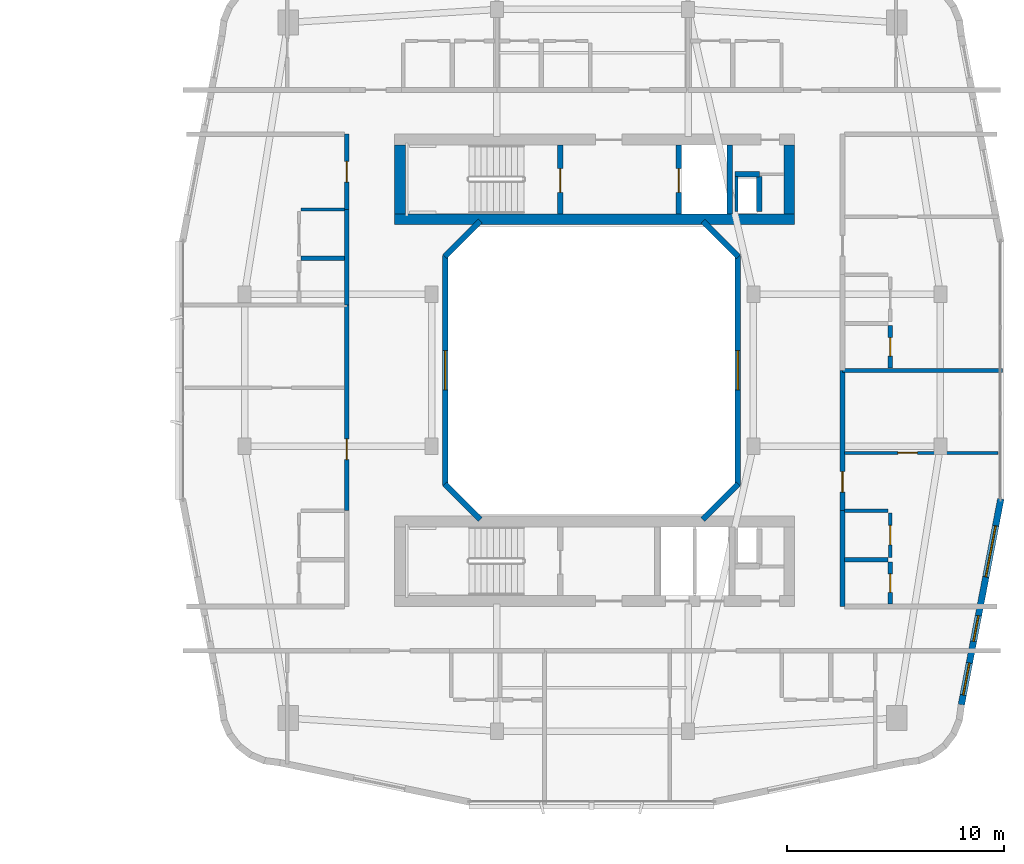
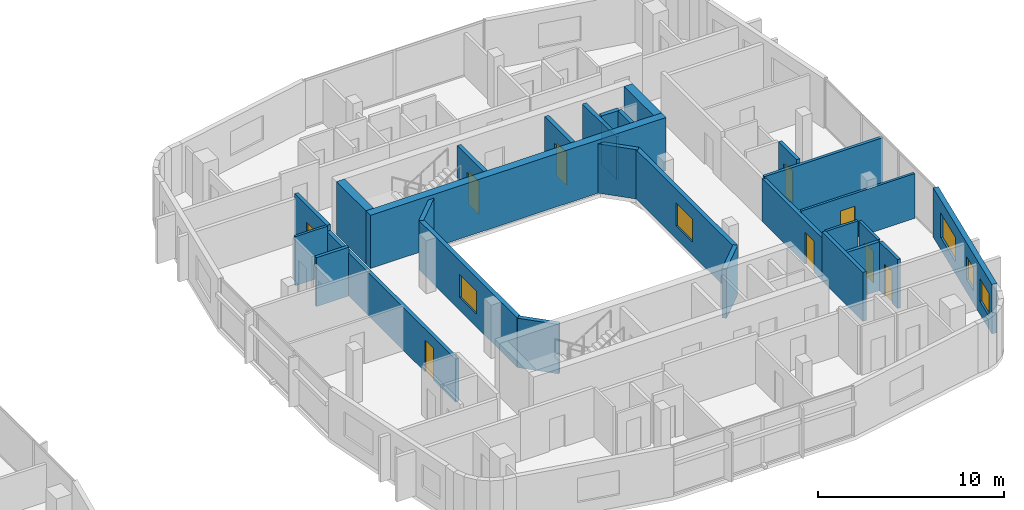
# One storey, part 19 of 27: 30 walls, 9 doors, 5 windows, 14 openings.
"""IFC4 building model written with IfcOpenShell, lengths in metres."""

import ifcopenshell
import ifcopenshell.guid

model = None  # the IFC model being written
_history = None  # IfcOwnerHistory: only IFC2X3 demands one
_inside = {}  # id of a spatial element -> (the spatial element, [elements in it])
_under = {}  # id of a project, library or spatial element -> (it, [spatial elements below it])
_declared = {}  # id of a project -> (the project, [libraries it declares])
_typed = {}  # id of a type object -> (the type object, [elements of that type])
_made_of = {}  # id of a material, layer set ... -> (it, [elements and type objects made of it])


def new_model(schema):
    """Start an empty IFC model of exactly this schema.

    Asked for "IFC4X3", IfcOpenShell would pick the latest addendum, in which some entities
    have other attributes; the version numbers below select the first issue.
    IFC2X3 requires an IfcOwnerHistory on every rooted entity: one is made here for all.
    """
    global model, _history
    if schema == "IFC4X3":
        model = ifcopenshell.file(schema_version=(4, 3, 0, 0))
    else:
        model = ifcopenshell.file(schema=schema)
    _inside.clear()
    _under.clear()
    _declared.clear()
    _typed.clear()
    _made_of.clear()
    _history = None
    if model.schema == "IFC2X3":
        org = make("IfcOrganization", Name="unknown")
        user = make(
            "IfcPersonAndOrganization",
            ThePerson=make("IfcPerson", FamilyName="unknown"),
            TheOrganization=org,
        )
        app = make(
            "IfcApplication",
            ApplicationDeveloper=org,
            Version="unknown",
            ApplicationFullName="unknown",
            ApplicationIdentifier="unknown",
        )
        _history = make(
            "IfcOwnerHistory",
            OwningUser=user,
            OwningApplication=app,
            ChangeAction="ADDED",
            CreationDate=0,
        )
    return model


def make(cls, **values):
    """One entity of the class cls with the attributes given. An attribute that is None is left unset."""
    return model.create_entity(
        cls, **{name: value for name, value in values.items() if value is not None}
    )


def rooted(cls, **values):
    """An entity with a GlobalId (a new one), such as an element, a storey or a relation."""
    return make(cls, GlobalId=ifcopenshell.guid.new(), OwnerHistory=_history, **values)


def si_unit(unit_type, name, prefix=None):
    """IfcSIUnit, for example si_unit("LENGTHUNIT", "METRE", prefix="MILLI")."""
    return make("IfcSIUnit", UnitType=unit_type, Prefix=prefix, Name=name)


def derived_unit(unit_type, elements):
    """IfcDerivedUnit: a product of units, each with its exponent."""
    return make(
        "IfcDerivedUnit",
        Elements=[
            make("IfcDerivedUnitElement", Unit=unit, Exponent=power)
            for unit, power in elements
        ],
        UnitType=unit_type,
    )


def assignment(units):
    """IfcUnitAssignment: the units of a project."""
    return None if units is None else make("IfcUnitAssignment", Units=units)


def point(xyz):
    """IfcCartesianPoint."""
    return None if xyz is None else make("IfcCartesianPoint", Coordinates=xyz)


def direction(xyz):
    """IfcDirection."""
    return None if xyz is None else make("IfcDirection", DirectionRatios=xyz)


def frame(location, z_axis=None, x_axis=None):
    """IfcAxis2Placement3D, a coordinate frame: its origin and axes. An axis left out is left unset."""
    return make(
        "IfcAxis2Placement3D",
        Location=point(location),
        Axis=direction(z_axis),
        RefDirection=direction(x_axis),
    )


def frame_2d(location, x_axis=None):
    """IfcAxis2Placement2D, a coordinate frame in the plane: its origin and x axis."""
    return make(
        "IfcAxis2Placement2D", Location=point(location), RefDirection=direction(x_axis)
    )


def origin():
    """The frame at (0, 0, 0) with its axes left unset."""
    return frame((0.0, 0.0, 0.0))


def place(relative_to, where):
    """IfcLocalPlacement: puts the frame where relative to a parent placement (None: the world)."""
    return make(
        "IfcLocalPlacement", PlacementRelTo=relative_to, RelativePlacement=where
    )


def context(
    kind, dimensions, precision=None, world=None, true_north=None, identifier=None
):
    """IfcGeometricRepresentationContext, for example the 3D "Model" context."""
    return make(
        "IfcGeometricRepresentationContext",
        ContextIdentifier=identifier,
        ContextType=kind,
        CoordinateSpaceDimension=dimensions,
        Precision=precision,
        WorldCoordinateSystem=world,
        TrueNorth=true_north,
    )


def subcontext(parent, identifier, kind, view, scale=None):
    """IfcGeometricRepresentationSubContext, for example "Body" below "Model"."""
    return make(
        "IfcGeometricRepresentationSubContext",
        ContextIdentifier=identifier,
        ContextType=kind,
        ParentContext=parent,
        TargetScale=scale,
        TargetView=view,
    )


def project(units=None, contexts=None):
    """IfcProject with its units and contexts."""
    return rooted(
        "IfcProject",
        Name="project",
        RepresentationContexts=contexts,
        UnitsInContext=assignment(units),
    )


def spatial(cls, under=None, at=None, **own):
    """A site, building, storey or space (cls), placed at a placement, below another one or the project."""
    s = rooted(cls, ObjectPlacement=at, **own)
    if under is not None:
        _under.setdefault(under.id(), (under, []))[1].append(s)
    return s


def profile(cls, at=None, kind="AREA", **sizes):
    """A parametric profile (cls). Its sizes go by their IFC names, for example OverallWidth=200.0."""
    return make(cls, ProfileType=kind, Position=at, **sizes)


def rectangle(**sizes):
    """IfcRectangleProfileDef."""
    return profile("IfcRectangleProfileDef", **sizes)


def extrude(swept, where, along, depth):
    """IfcExtrudedAreaSolid: the profile swept, set in the frame where, extruded along a direction by depth."""
    return make(
        "IfcExtrudedAreaSolid",
        SweptArea=swept,
        Position=where,
        ExtrudedDirection=direction(along),
        Depth=depth,
    )


def shape(context_of_items, identifier, shape_type, items):
    """IfcShapeRepresentation: the items that make up one representation, for example the "Body"."""
    return make(
        "IfcShapeRepresentation",
        ContextOfItems=context_of_items,
        RepresentationIdentifier=identifier,
        RepresentationType=shape_type,
        Items=items,
    )


def material(Name=None, Category=None):
    """IfcMaterial."""
    return make("IfcMaterial", Name=Name, Category=Category)


def layer(
    of_material, thickness, ventilated=None, Name=None, Category=None, Priority=None
):
    """IfcMaterialLayer: one layer of a wall or slab, of a material (None: an air gap)."""
    return make(
        "IfcMaterialLayer",
        Material=of_material,
        LayerThickness=thickness,
        IsVentilated=ventilated,
        Name=Name,
        Category=Category,
        Priority=Priority,
    )


def layer_set(layers, Name=None):
    """IfcMaterialLayerSet."""
    return make("IfcMaterialLayerSet", MaterialLayers=layers, LayerSetName=Name)


def made_of(thing, what):
    """Note that an element or type object is made of a material, layer set ...; save() writes the relation."""
    if what is not None:
        _made_of.setdefault(what.id(), (what, []))[1].append(thing)
    return thing


def type_object(cls, material=None, **own):
    """A type object (cls), such as IfcWallType, which elements share."""
    return made_of(rooted(cls, **own), material)


def element(
    cls,
    number,
    at=None,
    inside=None,
    cuts=None,
    type_object=None,
    material=None,
    context=None,
    identifier="Body",
    shape_type=None,
    held_by="IfcProductDefinitionShape",
    body=None,
    shapes=None,
    **own,
):
    """One element of the class cls, such as IfcWall. Its Tag is "e" and its number.

    at: its placement. inside: the storey or other place that contains it. cuts: it is an
    opening in that element (IfcRelVoidsElement). A single representation is given by context,
    identifier, shape_type and body (its items); several are given by shapes. held_by: the class
    of the entity that holds the representations. save() writes the other relations.
    """
    e = rooted(cls, Tag="e%d" % number, ObjectPlacement=at, **own)
    if body is not None:
        shapes = [shape(context, identifier, shape_type, body)]
    if shapes is not None:
        e.Representation = make(held_by, Representations=shapes)
    if inside is not None:
        _inside.setdefault(inside.id(), (inside, []))[1].append(e)
    if cuts is not None:
        rooted(
            "IfcRelVoidsElement", RelatingBuildingElement=cuts, RelatedOpeningElement=e
        )
    if type_object is not None:
        _typed.setdefault(type_object.id(), (type_object, []))[1].append(e)
    return made_of(e, material)


def fill(opening, filler):
    """IfcRelFillsElement: the door or window that sits in an opening."""
    return rooted(
        "IfcRelFillsElement",
        RelatingOpeningElement=opening,
        RelatedBuildingElement=filler,
    )


def aggregate(whole, parts):
    """IfcRelAggregates: a whole, such as a stair, and the parts it consists of."""
    return rooted("IfcRelAggregates", RelatingObject=whole, RelatedObjects=parts)


def save(model, path):
    """Write the relations noted so far, then the file.

    IfcRelAggregates (storeys below a building ...), IfcRelContainedInSpatialStructure (elements
    in a storey), IfcRelDefinesByType, IfcRelAssociatesMaterial and IfcRelDeclares: one each for
    every whole, place, type object, material and project.
    """
    for whole, parts in _under.values():
        aggregate(whole, parts)
    for where, things in _inside.values():
        rooted(
            "IfcRelContainedInSpatialStructure",
            RelatedElements=things,
            RelatingStructure=where,
        )
    for kind, things in _typed.values():
        rooted("IfcRelDefinesByType", RelatedObjects=things, RelatingType=kind)
    for what, things in _made_of.values():
        rooted("IfcRelAssociatesMaterial", RelatedObjects=things, RelatingMaterial=what)
    for by, libraries in _declared.values():
        rooted("IfcRelDeclares", RelatingContext=by, RelatedDefinitions=libraries)
    model.write(path)


model = new_model("IFC4")

# Units and contexts
model_context = context("Model", 3, precision=1e-05, world=origin(), true_north=direction((0.0, 1.0)))
body_context = subcontext(model_context, "Body", "Model", "MODEL_VIEW")
ifc_project = project(units=[si_unit("LENGTHUNIT", "METRE"), si_unit("AREAUNIT", "SQUARE_METRE"), si_unit("VOLUMEUNIT", "CUBIC_METRE"), si_unit("PLANEANGLEUNIT", "RADIAN"), si_unit("MASSUNIT", "GRAM", prefix="KILO"), derived_unit("THERMALTRANSMITTANCEUNIT", [(si_unit("POWERUNIT", "WATT"), 1), (si_unit("LENGTHUNIT", "METRE"), -2), (si_unit("THERMODYNAMICTEMPERATUREUNIT", "KELVIN"), -1)])], contexts=[model_context])

# Site, building, storey
site_placement = place(None, origin())
site = spatial("IfcSite", under=ifc_project, at=site_placement, CompositionType="ELEMENT")
building_placement = place(site_placement, origin())
building = spatial("IfcBuilding", under=site, at=building_placement, Name="Kivonza Crest Hotel", CompositionType="ELEMENT")
storey_placement = place(building_placement, frame((0.0, 0.0, 76.5)))
storey = spatial("IfcBuildingStorey", under=building, at=storey_placement, Name="L20", CompositionType="ELEMENT", Elevation=76.5)

# Wall
ifc_material_1 = material(Name="High-density acoustic masonry inter-tenancy wall", Category="masonry")
ifc_layer_1 = layer(ifc_material_1, 0.179931640625)
ifc_layer_set_1 = layer_set([ifc_layer_1], Name="High-density acoustic masonry inter-tenancy wall")
wall_type_1 = type_object("IfcWallType", Name="WL-ACOU-180", PredefinedType="SOLIDWALL", material=ifc_layer_set_1)
wall_1_placement = place(storey_placement, frame((88.5, 25.0, 0.0), z_axis=(0.0, 0.0, 1.0), x_axis=(1.0, 0.0, 0.0)))
element("IfcWall", 1, at=wall_1_placement, inside=storey, type_object=wall_type_1, Name="L20 interior partition WA-L20-T2E-DIV1", PredefinedType="SOLIDWALL", context=body_context, shape_type="SweptSolid", body=[
    extrude(rectangle(XDim=7.360107421875, YDim=0.179931640625, at=frame_2d((3.68017578125, 0.0))), origin(), (0.0, 0.0, 1.0), 2.945068359375),
])

# Wall, opening, door
ifc_material_2 = material(Name="Autoclaved aerated concrete blockwork", Category="masonry")
ifc_layer_2 = layer(ifc_material_2, 0.219970703125)
ifc_layer_set_2 = layer_set([ifc_layer_2], Name="Autoclaved aerated concrete blockwork")
wall_type_2 = type_object("IfcWallType", Name="WL-ACOU-220", PredefinedType="SOLIDWALL", material=ifc_layer_set_2)
wall_2_placement = place(storey_placement, frame((65.699951171875, 18.5400390625, 0.0), z_axis=(0.0, 0.0, 1.0), x_axis=(0.0, 1.0, 0.0)))
wall_2 = element("IfcWall", 2, at=wall_2_placement, inside=storey, type_object=wall_type_2, Name="L20 interior partition WA-L20-A06-MCORR", PredefinedType="SOLIDWALL", context=body_context, shape_type="SweptSolid", body=[
    extrude(rectangle(XDim=9.4599609375, YDim=0.219970703125, at=frame_2d((4.72998046875, 0.0))), origin(), (0.0, 0.0, 1.0), 2.824951171875),
])
opening_1_placement = place(wall_2_placement, frame((2.35498046875, 0.0, 0.0)))
opening_1 = element("IfcOpeningElement", 3, at=opening_1_placement, cuts=wall_2, Name="Opening DU-60", PredefinedType="OPENING", context=body_context, shape_type="SweptSolid", body=[
    extrude(rectangle(XDim=0.949951171875, YDim=2.10009765625, at=frame_2d((0.47509765625, 1.050048828125))), frame((0.0, 0.1201171875, 0.0), z_axis=(0.0, -1.0, 0.0), x_axis=(1.0, 0.0, 0.0)), (0.0, 0.0, 1.0), 0.239990234375),
])
ifc_material_3 = material(Name="Hardwood timber oak", Category="wood")
door_type_1 = type_object("IfcDoorType", Name="DR-UNIT-950", OperationType="NOTDEFINED", PredefinedType="DOOR", material=ifc_material_3)
door_1_placement = place(opening_1_placement, origin())
door_1 = element("IfcDoor", 4, at=door_1_placement, inside=storey, type_object=door_type_1, Name="L20 A06 apartment entrance fire door", OperationType="SINGLE_SWING_RIGHT", OverallHeight=2.10009765625, OverallWidth=0.949951171875, PredefinedType="DOOR", context=body_context, shape_type="SweptSolid", body=[
    extrude(rectangle(XDim=0.949951171875, YDim=2.10009765625, at=frame_2d((0.47509765625, 1.050048828125))), frame((0.0, 0.02490234375, 0.0), z_axis=(0.0, -1.0, 0.0), x_axis=(1.0, 0.0, 0.0)), (0.0, 0.0, 1.0), 0.050048828125),
])
fill(opening_1, door_1)

# Wall
wall_3_placement = place(storey_placement, frame((65.699951171875, 28.0, 0.0), z_axis=(0.0, 0.0, 1.0), x_axis=(0.0, 1.0, 0.0)))
element("IfcWall", 5, at=wall_3_placement, inside=storey, type_object=wall_type_2, Name="L20 interior partition WA-L20-A07-BCORR", PredefinedType="SOLIDWALL", context=body_context, shape_type="SweptSolid", body=[
    extrude(rectangle(XDim=4.39990234375, YDim=0.219970703125, at=frame_2d((2.199951171875, 0.0))), origin(), (0.0, 0.0, 1.0), 2.824951171875),
])

# Wall, opening, door
wall_4_placement = place(storey_placement, frame((65.699951171875, 32.39990234375, 0.0), z_axis=(0.0, 0.0, 1.0), x_axis=(0.0, 1.0, 0.0)))
wall_4 = element("IfcWall", 6, at=wall_4_placement, inside=storey, type_object=wall_type_2, Name="L20 interior partition WA-L20-A07-MCORR", PredefinedType="SOLIDWALL", context=body_context, shape_type="SweptSolid", body=[
    extrude(rectangle(XDim=3.460205078125, YDim=0.219970703125, at=frame_2d((1.72998046875, 0.0))), origin(), (0.0, 0.0, 1.0), 3.219970703125),
])
opening_2_placement = place(wall_4_placement, frame((1.2548828125, 0.0, 0.0)))
opening_2 = element("IfcOpeningElement", 7, at=opening_2_placement, cuts=wall_4, Name="Opening DU-60", PredefinedType="OPENING", context=body_context, shape_type="SweptSolid", body=[
    extrude(rectangle(XDim=0.949951171875, YDim=2.10009765625, at=frame_2d((0.47509765625, 1.050048828125))), frame((0.0, 0.1201171875, 0.0), z_axis=(0.0, -1.0, 0.0), x_axis=(1.0, 0.0, 0.0)), (0.0, 0.0, 1.0), 0.239990234375),
])
door_2_placement = place(opening_2_placement, origin())
door_2 = element("IfcDoor", 8, at=door_2_placement, inside=storey, type_object=door_type_1, Name="L20 A07 apartment entrance fire door", OperationType="SINGLE_SWING_LEFT", OverallHeight=2.10009765625, OverallWidth=0.949951171875, PredefinedType="DOOR", context=body_context, shape_type="SweptSolid", body=[
    extrude(rectangle(XDim=0.949951171875, YDim=2.10009765625, at=frame_2d((0.47509765625, 1.050048828125))), frame((0.0, 0.02490234375, 0.0), z_axis=(0.0, -1.0, 0.0), x_axis=(1.0, 0.0, 0.0)), (0.0, 0.0, 1.0), 0.050048828125),
])
fill(opening_2, door_2)

# Wall
wall_5_placement = place(storey_placement, frame((88.5, 14.139892578125, 0.0), z_axis=(0.0, 0.0, 1.0), x_axis=(0.0, 1.0, 0.0)))
element("IfcWall", 9, at=wall_5_placement, inside=storey, type_object=wall_type_2, Name="L20 interior partition WA-L20-A08-BCORR", PredefinedType="SOLIDWALL", context=body_context, shape_type="SweptSolid", body=[
    extrude(rectangle(XDim=4.400146484375, YDim=0.219970703125, at=frame_2d((2.2001953125, 0.0))), origin(), (0.0, 0.0, 1.0), 3.219970703125),
])

# Wall, opening, door
wall_6_placement = place(storey_placement, frame((88.5, 18.5400390625, 0.0), z_axis=(0.0, 0.0, 1.0), x_axis=(0.0, 1.0, 0.0)))
wall_6 = element("IfcWall", 10, at=wall_6_placement, inside=storey, type_object=wall_type_2, Name="L20 interior partition WA-L20-A08-MCORR", PredefinedType="SOLIDWALL", context=body_context, shape_type="SweptSolid", body=[
    extrude(rectangle(XDim=6.4599609375, YDim=0.219970703125, at=frame_2d((3.22998046875, 0.0))), origin(), (0.0, 0.0, 1.0), 2.824951171875),
])
opening_3_placement = place(wall_6_placement, frame((0.85498046875, 0.0, 0.0)))
opening_3 = element("IfcOpeningElement", 11, at=opening_3_placement, cuts=wall_6, Name="Opening DU-60", PredefinedType="OPENING", context=body_context, shape_type="SweptSolid", body=[
    extrude(rectangle(XDim=0.949951171875, YDim=2.10009765625, at=frame_2d((0.47509765625, 1.050048828125))), frame((0.0, 0.1201171875, 0.0), z_axis=(0.0, -1.0, 0.0), x_axis=(1.0, 0.0, 0.0)), (0.0, 0.0, 1.0), 0.239990234375),
])
door_3_placement = place(opening_3_placement, frame((0.949951171875, 0.0, 0.0), z_axis=(0.0, 0.0, 1.0), x_axis=(-1.0, 0.0, 0.0)))
door_3 = element("IfcDoor", 12, at=door_3_placement, inside=storey, type_object=door_type_1, Name="L20 A08 apartment entrance fire door", OperationType="SINGLE_SWING_RIGHT", OverallHeight=2.10009765625, OverallWidth=0.949951171875, PredefinedType="DOOR", context=body_context, shape_type="SweptSolid", body=[
    extrude(rectangle(XDim=0.949951171875, YDim=2.10009765625, at=frame_2d((0.47509765625, 1.050048828125))), frame((0.0, 0.02490234375, 0.0), z_axis=(0.0, -1.0, 0.0), x_axis=(1.0, 0.0, 0.0)), (0.0, 0.0, 1.0), 0.050048828125),
])
fill(opening_3, door_3)

# Walls
ifc_material_4 = material(Name="Concrete C60/75", Category="concrete")
ifc_layer_3 = layer(ifc_material_4, 0.5)
ifc_layer_set_3 = layer_set([ifc_layer_3], Name="Concrete C60/75")
wall_type_3 = type_object("IfcWallType", Name="WL-CORE-500", PredefinedType="SHEAR", material=ifc_layer_set_3)
wall_7_placement = place(storey_placement, frame((67.89990234375, 31.949951171875, 0.0), z_axis=(0.0, 0.0, 1.0), x_axis=(1.0, 0.0, 0.0)))
element("IfcWall", 13, at=wall_7_placement, inside=storey, type_object=wall_type_3, Name="Core wall T2-N South L20", PredefinedType="SHEAR", context=body_context, shape_type="SweptSolid", body=[
    extrude(rectangle(XDim=18.400146484375, YDim=0.5, at=frame_2d((9.2001953125, 0.0))), origin(), (0.0, 0.0, 1.0), 3.5),
])
for number, where, z_axis, x_axis, name in (
    (14, (68.14990234375, 32.199951171875, 0.0), (0.0, 0.0, 1.0), (0.0, 1.0, 0.0), "Core wall T2-N West L20"),
    (15, (86.050048828125, 32.199951171875, 0.0), (0.0, 0.0, 1.0), (0.0, 1.0, 0.0), "Core wall T2-N East L20"),
):
    element("IfcWall", number, at=place(storey_placement, frame(where, z_axis=z_axis, x_axis=x_axis)), inside=storey, type_object=wall_type_3, Name=name, PredefinedType="SHEAR", context=body_context, shape_type="SweptSolid", body=[
        extrude(rectangle(XDim=3.16015625, YDim=0.5, at=frame_2d((1.580078125, 0.0))), origin(), (0.0, 0.0, 1.0), 3.5),
    ])
ifc_material_5 = material(Name="Precast concrete C40/50", Category="concrete")
ifc_layer_4 = layer(ifc_material_5, 0.260009765625)
ifc_layer_set_4 = layer_set([ifc_layer_4], Name="Precast concrete C40/50")
wall_type_4 = type_object("IfcWallType", Name="WL-EXT-260", PredefinedType="STANDARD", material=ifc_layer_set_4)
wall_8_placement = place(storey_placement, frame((82.08203125, 18.137939453125, 0.0), z_axis=(0.0, 0.0, 1.0), x_axis=(0.707106781187, 0.707106781187, 0.0)))
element("IfcWall", 16, at=wall_8_placement, inside=storey, type_object=wall_type_4, Name="L20 T2 light-well exterior wall 2", PredefinedType="STANDARD", context=body_context, shape_type="SweptSolid", body=[
    extrude(rectangle(XDim=2.310791015625, YDim=0.260009765625, at=frame_2d((1.1552734375, 0.0))), origin(), (0.0, 0.0, 1.0), 3.25),
])

# Wall, opening, window
wall_9_placement = place(storey_placement, frame((83.68994140625, 19.7099609375, 0.0), z_axis=(0.0, 0.0, 1.0), x_axis=(0.0, 1.0, 0.0)))
wall_9 = element("IfcWall", 17, at=wall_9_placement, inside=storey, type_object=wall_type_4, Name="L20 T2 light-well exterior wall 3", PredefinedType="STANDARD", context=body_context, shape_type="SweptSolid", body=[
    extrude(rectangle(XDim=10.580078125, YDim=0.260009765625, at=frame_2d((5.2900390625, 0.0))), origin(), (0.0, 0.0, 1.0), 3.25),
])
opening_4_placement = place(wall_9_placement, frame((4.389892578125, 0.0, 0.85009765625)))
opening_4 = element("IfcOpeningElement", 18, at=opening_4_placement, cuts=wall_9, Name="Opening WN-03", PredefinedType="OPENING", context=body_context, shape_type="SweptSolid", body=[
    extrude(rectangle(XDim=1.800048828125, YDim=1.5, at=frame_2d((0.89990234375, 0.75))), frame((0.0, 0.14013671875, 0.0), z_axis=(0.0, -1.0, 0.0), x_axis=(1.0, 0.0, 0.0)), (0.0, 0.0, 1.0), 0.280029296875),
])
ifc_material_6 = material(Name="Thermally broken bronze aluminium and low-E double glazing", Category="aluminium")
window_type_1 = type_object("IfcWindowType", Name="WN-180x150", PartitioningType="DOUBLE_PANEL_VERTICAL", PredefinedType="WINDOW", material=ifc_material_6)
window_1_placement = place(opening_4_placement, origin())
window_1 = element("IfcWindow", 19, at=window_1_placement, inside=storey, type_object=window_type_1, Name="L20 T2 light-well window 3", OverallHeight=1.5, OverallWidth=1.800048828125, PartitioningType="SINGLE_PANEL", PredefinedType="WINDOW", context=body_context, shape_type="SweptSolid", body=[
    extrude(rectangle(XDim=1.800048828125, YDim=1.5, at=frame_2d((0.89990234375, 0.75))), frame((0.0, 0.030029296875, 0.0), z_axis=(0.0, -1.0, 0.0), x_axis=(1.0, 0.0, 0.0)), (0.0, 0.0, 1.0), 0.06005859375),
])
fill(opening_4, window_1)

# Walls
for number, where, z_axis, x_axis, name in (
    (20, (83.716064453125, 30.22802734375, 0.0), (0.0, 0.0, 1.0), (-0.707106781187, 0.707106781187, 0.0), "L20 T2 light-well exterior wall 4"),
    (21, (71.837890625, 31.862060546875, 0.0), (0.0, 0.0, 1.0), (-0.707053950914, -0.707159607512, 0.0), "L20 T2 light-well exterior wall 6"),
):
    element("IfcWall", number, at=place(storey_placement, frame(where, z_axis=z_axis, x_axis=x_axis)), inside=storey, type_object=wall_type_4, Name=name, PredefinedType="STANDARD", context=body_context, shape_type="SweptSolid", body=[
        extrude(rectangle(XDim=2.310791015625, YDim=0.260009765625, at=frame_2d((1.1552734375, 0.0))), origin(), (0.0, 0.0, 1.0), 3.25),
    ])

# Wall, opening, window
wall_10_placement = place(storey_placement, frame((70.22998046875, 30.2900390625, 0.0), z_axis=(0.0, 0.0, 1.0), x_axis=(0.0, -1.0, 0.0)))
wall_10 = element("IfcWall", 22, at=wall_10_placement, inside=storey, type_object=wall_type_4, Name="L20 T2 light-well exterior wall 7", PredefinedType="STANDARD", context=body_context, shape_type="SweptSolid", body=[
    extrude(rectangle(XDim=10.580078125, YDim=0.260009765625, at=frame_2d((5.2900390625, 0.0))), origin(), (0.0, 0.0, 1.0), 3.25),
])
opening_5_placement = place(wall_10_placement, frame((4.389892578125, 0.0, 0.85009765625)))
opening_5 = element("IfcOpeningElement", 23, at=opening_5_placement, cuts=wall_10, Name="Opening WN-03", PredefinedType="OPENING", context=body_context, shape_type="SweptSolid", body=[
    extrude(rectangle(XDim=1.800048828125, YDim=1.5, at=frame_2d((0.89990234375, 0.75))), frame((0.0, 0.14013671875, 0.0), z_axis=(0.0, -1.0, 0.0), x_axis=(1.0, 0.0, 0.0)), (0.0, 0.0, 1.0), 0.280029296875),
])
window_2_placement = place(opening_5_placement, origin())
window_2 = element("IfcWindow", 24, at=window_2_placement, inside=storey, type_object=window_type_1, Name="L20 T2 light-well window 7", OverallHeight=1.5, OverallWidth=1.800048828125, PartitioningType="SINGLE_PANEL", PredefinedType="WINDOW", context=body_context, shape_type="SweptSolid", body=[
    extrude(rectangle(XDim=1.800048828125, YDim=1.5, at=frame_2d((0.89990234375, 0.75))), frame((0.0, 0.030029296875, 0.0), z_axis=(0.0, -1.0, 0.0), x_axis=(1.0, 0.0, 0.0)), (0.0, 0.0, 1.0), 0.06005859375),
])
fill(opening_5, window_2)

# Wall
wall_11_placement = place(storey_placement, frame((70.2041015625, 19.77197265625, 0.0), z_axis=(0.0, 0.0, 1.0), x_axis=(0.707053950914, -0.707159607512, 0.0)))
element("IfcWall", 25, at=wall_11_placement, inside=storey, type_object=wall_type_4, Name="L20 T2 light-well exterior wall 8", PredefinedType="STANDARD", context=body_context, shape_type="SweptSolid", body=[
    extrude(rectangle(XDim=2.310791015625, YDim=0.260009765625, at=frame_2d((1.1552734375, 0.0))), origin(), (0.0, 0.0, 1.0), 3.25),
])

# Wall, openings, windows
ifc_layer_5 = layer(ifc_material_5, 0.300048828125)
ifc_layer_set_5 = layer_set([ifc_layer_5], Name="Precast concrete C40/50")
wall_type_5 = type_object("IfcWallType", Name="WL-EXT-300", PredefinedType="STANDARD", material=ifc_layer_set_5)
wall_12_placement = place(storey_placement, frame((93.970947265625, 9.6201171875, 0.0), z_axis=(0.0, 0.0, 1.0), x_axis=(0.188087874316, 0.982152203854, 0.0)))
wall_12 = element("IfcWall", 26, at=wall_12_placement, inside=storey, type_object=wall_type_5, Name="L20 T2 exterior insulated wall 16", PredefinedType="STANDARD", context=body_context, shape_type="SweptSolid", body=[
    extrude(rectangle(XDim=9.6337890625, YDim=0.300048828125, at=frame_2d((4.81689453125, 0.0))), origin(), (0.0, 0.0, 1.0), 3.25),
])
opening_6_placement = place(wall_12_placement, frame((0.451904296875, 0.0, 0.85009765625)))
opening_6 = element("IfcOpeningElement", 27, at=opening_6_placement, cuts=wall_12, Name="Opening WN-02", PredefinedType="OPENING", context=body_context, shape_type="SweptSolid", body=[
    extrude(rectangle(XDim=1.5, YDim=1.5, at=frame_2d((0.75, 0.75))), frame((0.0, 0.16015625, 0.0), z_axis=(0.0, -1.0, 0.0), x_axis=(1.0, 0.0, 0.0)), (0.0, 0.0, 1.0), 0.320068359375),
])
opening_7_placement = place(wall_12_placement, frame((2.964111328125, 0.0, 0.85009765625)))
opening_7 = element("IfcOpeningElement", 28, at=opening_7_placement, cuts=wall_12, Name="Opening WN-01", PredefinedType="OPENING", context=body_context, shape_type="SweptSolid", body=[
    extrude(rectangle(XDim=1.199951171875, YDim=1.5, at=frame_2d((0.60009765625, 0.75))), frame((0.0, 0.16015625, 0.0), z_axis=(0.0, -1.0, 0.0), x_axis=(1.0, 0.0, 0.0)), (0.0, 0.0, 1.0), 0.320068359375),
])
opening_8_placement = place(wall_12_placement, frame((5.97900390625, 0.0, 0.800048828125)))
opening_8 = element("IfcOpeningElement", 29, at=opening_8_placement, cuts=wall_12, Name="Opening WN-05", PredefinedType="OPENING", context=body_context, shape_type="SweptSolid", body=[
    extrude(rectangle(XDim=2.39990234375, YDim=1.60009765625, at=frame_2d((1.199951171875, 0.800048828125))), frame((0.0, 0.16015625, 0.0), z_axis=(0.0, -1.0, 0.0), x_axis=(1.0, 0.0, 0.0)), (0.0, 0.0, 1.0), 0.320068359375),
])
window_type_2 = type_object("IfcWindowType", Name="WN-120x150", PartitioningType="SINGLE_PANEL", PredefinedType="WINDOW", material=ifc_material_6)
window_3_placement = place(opening_7_placement, origin())
window_3 = element("IfcWindow", 30, at=window_3_placement, inside=storey, type_object=window_type_2, Name="L20 T2 facade window 16 bay 2", OverallHeight=1.5, OverallWidth=1.199951171875, PartitioningType="SINGLE_PANEL", PredefinedType="WINDOW", context=body_context, shape_type="SweptSolid", body=[
    extrude(rectangle(XDim=1.199951171875, YDim=1.5, at=frame_2d((0.60009765625, 0.75))), frame((0.0, 0.030029296875, 0.0), z_axis=(0.0, -1.0, 0.0), x_axis=(1.0, 0.0, 0.0)), (0.0, 0.0, 1.0), 0.06005859375),
])
fill(opening_7, window_3)
window_type_3 = type_object("IfcWindowType", Name="WN-150x150", PartitioningType="DOUBLE_PANEL_VERTICAL", PredefinedType="WINDOW", material=ifc_material_6)
window_4_placement = place(opening_6_placement, origin())
window_4 = element("IfcWindow", 31, at=window_4_placement, inside=storey, type_object=window_type_3, Name="L20 T2 facade window 16 bay 1", OverallHeight=1.5, OverallWidth=1.5, PartitioningType="SINGLE_PANEL", PredefinedType="WINDOW", context=body_context, shape_type="SweptSolid", body=[
    extrude(rectangle(XDim=1.5, YDim=1.5, at=frame_2d((0.75, 0.75))), frame((0.0, 0.030029296875, 0.0), z_axis=(0.0, -1.0, 0.0), x_axis=(1.0, 0.0, 0.0)), (0.0, 0.0, 1.0), 0.06005859375),
])
fill(opening_6, window_4)
window_type_4 = type_object("IfcWindowType", Name="WN-240x160", PartitioningType="TRIPLE_PANEL_VERTICAL", PredefinedType="WINDOW", material=ifc_material_6)
window_5_placement = place(opening_8_placement, origin())
window_5 = element("IfcWindow", 32, at=window_5_placement, inside=storey, type_object=window_type_4, Name="L20 T2 facade window 16 bay 3", OverallHeight=1.60009765625, OverallWidth=2.39990234375, PartitioningType="SINGLE_PANEL", PredefinedType="WINDOW", context=body_context, shape_type="SweptSolid", body=[
    extrude(rectangle(XDim=2.39990234375, YDim=1.60009765625, at=frame_2d((1.199951171875, 0.800048828125))), frame((0.0, 0.030029296875, 0.0), z_axis=(0.0, -1.0, 0.0), x_axis=(1.0, 0.0, 0.0)), (0.0, 0.0, 1.0), 0.06005859375),
])
fill(opening_8, window_5)

# Walls
ifc_material_7 = material(Name="Concrete blockwork fire-compartment wall", Category="masonry")
ifc_layer_6 = layer(ifc_material_7, 0.25)
ifc_layer_set_6 = layer_set([ifc_layer_6], Name="Concrete blockwork fire-compartment wall")
wall_type_6 = type_object("IfcWallType", Name="WL-FIRE-250", PredefinedType="SOLIDWALL", material=ifc_layer_set_6)
wall_13_placement = place(storey_placement, frame((84.679931640625, 32.300048828125, 0.0), z_axis=(0.0, 0.0, 1.0), x_axis=(0.0, 1.0, 0.0)))
element("IfcWall", 33, at=wall_13_placement, inside=storey, type_object=wall_type_6, Name="L20 interior partition WA-L20-T2-N-MEPR-E", PredefinedType="SOLIDWALL", context=body_context, shape_type="SweptSolid", body=[
    extrude(rectangle(XDim=1.619873046875, YDim=0.25, at=frame_2d((0.81005859375, 0.0))), origin(), (0.0, 0.0, 1.0), 3.219970703125),
])
wall_14_placement = place(storey_placement, frame((83.550048828125, 34.02001953125, 0.0), z_axis=(0.0, 0.0, 1.0), x_axis=(1.0, 0.0, 0.0)))
element("IfcWall", 34, at=wall_14_placement, inside=storey, type_object=wall_type_6, Name="L20 interior partition WA-L20-T2-N-MEPR-H", PredefinedType="SOLIDWALL", context=body_context, shape_type="SweptSolid", body=[
    extrude(rectangle(XDim=1.1298828125, YDim=0.25, at=frame_2d((0.56494140625, 0.0))), origin(), (0.0, 0.0, 1.0), 3.219970703125),
])
ifc_material_8 = material(Name="Twin-stud acoustic gypsum board partition", Category="gypsum")
ifc_layer_7 = layer(ifc_material_8, 0.14990234375)
ifc_layer_set_7 = layer_set([ifc_layer_7], Name="Twin-stud acoustic gypsum board partition")
wall_type_7 = type_object("IfcWallType", Name="WL-PART-150", PredefinedType="PARTITIONING", material=ifc_layer_set_7)
wall_15_placement = place(storey_placement, frame((83.6298828125, 32.300048828125, 0.0), z_axis=(0.0, 0.0, 1.0), x_axis=(0.0, 1.0, 0.0)))
element("IfcWall", 35, at=wall_15_placement, inside=storey, type_object=wall_type_7, Name="L20 interior partition WA-L20-T2-N-MEPR-W", PredefinedType="PARTITIONING", context=body_context, shape_type="SweptSolid", body=[
    extrude(rectangle(XDim=1.619873046875, YDim=0.14990234375, at=frame_2d((0.81005859375, 0.0))), origin(), (0.0, 0.0, 1.0), 2.824951171875),
])
wall_16_placement = place(storey_placement, frame((63.60009765625, 32.39990234375, 0.0), z_axis=(0.0, 0.0, 1.0), x_axis=(1.0, 0.0, 0.0)))
element("IfcWall", 36, at=wall_16_placement, inside=storey, type_object=wall_type_7, Name="L20 interior partition WP-L20-A07-KF", PredefinedType="PARTITIONING", context=body_context, shape_type="SweptSolid", body=[
    extrude(rectangle(XDim=2.0, YDim=0.14990234375, at=frame_2d((1.0, 0.0))), origin(), (0.0, 0.0, 1.0), 3.219970703125),
])

# Wall, opening, door
wall_17_placement = place(storey_placement, frame((88.60009765625, 21.199951171875, 0.0), z_axis=(0.0, 0.0, 1.0), x_axis=(1.0, 0.0, 0.0)))
wall_17 = element("IfcWall", 37, at=wall_17_placement, inside=storey, type_object=wall_type_7, Name="L20 interior partition WP-L20-A08-BD1", PredefinedType="PARTITIONING", context=body_context, shape_type="SweptSolid", body=[
    extrude(rectangle(XDim=7.059814453125, YDim=0.14990234375, at=frame_2d((3.52978515625, 0.0))), origin(), (0.0, 0.0, 1.0), 2.945068359375),
])
opening_9_placement = place(wall_17_placement, frame((2.449951171875, 0.0, 0.0)))
opening_9 = element("IfcOpeningElement", 38, at=opening_9_placement, cuts=wall_17, Name="Opening DI-90", PredefinedType="OPENING", context=body_context, shape_type="SweptSolid", body=[
    extrude(rectangle(XDim=0.89990234375, YDim=2.10009765625, at=frame_2d((0.449951171875, 1.050048828125))), frame((0.0, 0.0849609375, 0.0), z_axis=(0.0, -1.0, 0.0), x_axis=(1.0, 0.0, 0.0)), (0.0, 0.0, 1.0), 0.169921875),
])
door_type_2 = type_object("IfcDoorType", Name="DR-INT-900", OperationType="NOTDEFINED", PredefinedType="DOOR", material=ifc_material_3)
door_4_placement = place(opening_9_placement, origin())
door_4 = element("IfcDoor", 39, at=door_4_placement, inside=storey, type_object=door_type_2, Name="L20 A08 bedroom door", OperationType="SINGLE_SWING_LEFT", OverallHeight=2.10009765625, OverallWidth=0.89990234375, PredefinedType="DOOR", context=body_context, shape_type="SweptSolid", body=[
    extrude(rectangle(XDim=0.89990234375, YDim=2.10009765625, at=frame_2d((0.449951171875, 1.050048828125))), frame((0.0, 0.02490234375, 0.0), z_axis=(0.0, -1.0, 0.0), x_axis=(1.0, 0.0, 0.0)), (0.0, 0.0, 1.0), 0.050048828125),
])
fill(opening_9, door_4)

# Wall
wall_18_placement = place(storey_placement, frame((88.60009765625, 18.5400390625, 0.0), z_axis=(0.0, 0.0, 1.0), x_axis=(1.0, 0.0, 0.0)))
element("IfcWall", 40, at=wall_18_placement, inside=storey, type_object=wall_type_7, Name="L20 interior partition WP-L20-A08-KF", PredefinedType="PARTITIONING", context=body_context, shape_type="SweptSolid", body=[
    extrude(rectangle(XDim=2.0, YDim=0.14990234375, at=frame_2d((1.0, 0.0))), origin(), (0.0, 0.0, 1.0), 3.219970703125),
])

# Wall, opening, door
wall_19_placement = place(storey_placement, frame((90.699951171875, 16.389892578125, 0.0), z_axis=(0.0, 0.0, 1.0), x_axis=(0.0, 1.0, 0.0)))
wall_19 = element("IfcWall", 41, at=wall_19_placement, inside=storey, type_object=wall_type_7, Name="L20 interior partition WP-L20-A08-KSVC", PredefinedType="PARTITIONING", context=body_context, shape_type="SweptSolid", body=[
    extrude(rectangle(XDim=2.050048828125, YDim=0.14990234375, at=frame_2d((1.02490234375, 0.0))), origin(), (0.0, 0.0, 1.0), 3.219970703125),
])
opening_10_placement = place(wall_19_placement, frame((0.574951171875, 0.0, 0.0)))
opening_10 = element("IfcOpeningElement", 42, at=opening_10_placement, cuts=wall_19, Name="Opening DI-90", PredefinedType="OPENING", context=body_context, shape_type="SweptSolid", body=[
    extrude(rectangle(XDim=0.89990234375, YDim=2.10009765625, at=frame_2d((0.449951171875, 1.050048828125))), frame((0.0, 0.0849609375, 0.0), z_axis=(0.0, -1.0, 0.0), x_axis=(1.0, 0.0, 0.0)), (0.0, 0.0, 1.0), 0.169921875),
])
door_5_placement = place(opening_10_placement, frame((0.89990234375, 0.0, 0.0), z_axis=(0.0, 0.0, 1.0), x_axis=(-1.0, 0.0, 0.0)))
door_5 = element("IfcDoor", 43, at=door_5_placement, inside=storey, type_object=door_type_2, Name="L20 A08 apartment kitchen door", OperationType="SINGLE_SWING_RIGHT", OverallHeight=2.10009765625, OverallWidth=0.89990234375, PredefinedType="DOOR", context=body_context, shape_type="SweptSolid", body=[
    extrude(rectangle(XDim=0.89990234375, YDim=2.10009765625, at=frame_2d((0.449951171875, 1.050048828125))), frame((0.0, 0.02490234375, 0.0), z_axis=(0.0, -1.0, 0.0), x_axis=(1.0, 0.0, 0.0)), (0.0, 0.0, 1.0), 0.050048828125),
])
fill(opening_10, door_5)

# Walls
ifc_material_9 = material(Name="Moisture-resistant plumbing chase partition wall", Category="gypsum")
ifc_layer_8 = layer(ifc_material_9, 0.199951171875)
ifc_layer_set_8 = layer_set([ifc_layer_8], Name="Moisture-resistant plumbing chase partition wall")
wall_type_8 = type_object("IfcWallType", Name="WL-PLUMB-200", PredefinedType="PLUMBINGWALL", material=ifc_layer_set_8)
for number, where, z_axis, x_axis, name in (
    (44, (63.60009765625, 30.14990234375, 0.0), (0.0, 0.0, 1.0), (1.0, 0.0, 0.0), "L20 interior partition WW-L20-A07-BK"),
    (45, (88.60009765625, 16.2900390625, 0.0), (0.0, 0.0, 1.0), (1.0, 0.0, 0.0), "L20 interior partition WW-L20-A08-BK"),
):
    element("IfcWall", number, at=place(storey_placement, frame(where, z_axis=z_axis, x_axis=x_axis)), inside=storey, type_object=wall_type_8, Name=name, PredefinedType="PLUMBINGWALL", context=body_context, shape_type="SweptSolid", body=[
        extrude(rectangle(XDim=2.0, YDim=0.199951171875, at=frame_2d((1.0, 0.0))), origin(), (0.0, 0.0, 1.0), 3.219970703125),
    ])

# Wall, opening, door
wall_20_placement = place(storey_placement, frame((90.699951171875, 14.239990234375, 0.0), z_axis=(0.0, 0.0, 1.0), x_axis=(0.0, 1.0, 0.0)))
wall_20 = element("IfcWall", 46, at=wall_20_placement, inside=storey, type_object=wall_type_8, Name="L20 interior partition WW-L20-A08-BSVC", PredefinedType="PLUMBINGWALL", context=body_context, shape_type="SweptSolid", body=[
    extrude(rectangle(XDim=1.949951171875, YDim=0.199951171875, at=frame_2d((0.97509765625, 0.0))), origin(), (0.0, 0.0, 1.0), 3.219970703125),
])
opening_11_placement = place(wall_20_placement, frame((0.550048828125, 0.0, 0.0)))
opening_11 = element("IfcOpeningElement", 47, at=opening_11_placement, cuts=wall_20, Name="Opening DI-85", PredefinedType="OPENING", context=body_context, shape_type="SweptSolid", body=[
    extrude(rectangle(XDim=0.85009765625, YDim=2.10009765625, at=frame_2d((0.425048828125, 1.050048828125))), frame((0.0, 0.10986328125, 0.0), z_axis=(0.0, -1.0, 0.0), x_axis=(1.0, 0.0, 0.0)), (0.0, 0.0, 1.0), 0.219970703125),
])
door_type_3 = type_object("IfcDoorType", Name="DR-INT-850", OperationType="NOTDEFINED", PredefinedType="DOOR", material=ifc_material_3)
door_6_placement = place(opening_11_placement, frame((0.85009765625, 0.0, 0.0), z_axis=(0.0, 0.0, 1.0), x_axis=(-1.0, 0.0, 0.0)))
door_6 = element("IfcDoor", 48, at=door_6_placement, inside=storey, type_object=door_type_3, Name="L20 A08 apartment bathroom door", OperationType="SINGLE_SWING_LEFT", OverallHeight=2.10009765625, OverallWidth=0.85009765625, PredefinedType="DOOR", context=body_context, shape_type="SweptSolid", body=[
    extrude(rectangle(XDim=0.85009765625, YDim=2.10009765625, at=frame_2d((0.425048828125, 1.050048828125))), frame((0.0, 0.02490234375, 0.0), z_axis=(0.0, -1.0, 0.0), x_axis=(1.0, 0.0, 0.0)), (0.0, 0.0, 1.0), 0.050048828125),
])
fill(opening_11, door_6)

wall_21_placement = place(storey_placement, frame((90.699951171875, 25.10009765625, 0.0), z_axis=(0.0, 0.0, 1.0), x_axis=(0.0, 1.0, 0.0)))
wall_21 = element("IfcWall", 49, at=wall_21_placement, inside=storey, type_object=wall_type_8, Name="L20 interior partition WW-L20-A09-BSVC", PredefinedType="PLUMBINGWALL", context=body_context, shape_type="SweptSolid", body=[
    extrude(rectangle(XDim=1.949951171875, YDim=0.199951171875, at=frame_2d((0.97509765625, 0.0))), origin(), (0.0, 0.0, 1.0), 3.219970703125),
])
opening_12_placement = place(wall_21_placement, frame((0.550048828125, 0.0, 0.0)))
opening_12 = element("IfcOpeningElement", 50, at=opening_12_placement, cuts=wall_21, Name="Opening DI-85", PredefinedType="OPENING", context=body_context, shape_type="SweptSolid", body=[
    extrude(rectangle(XDim=0.85009765625, YDim=2.10009765625, at=frame_2d((0.425048828125, 1.050048828125))), frame((0.0, 0.10986328125, 0.0), z_axis=(0.0, -1.0, 0.0), x_axis=(1.0, 0.0, 0.0)), (0.0, 0.0, 1.0), 0.219970703125),
])
door_7_placement = place(opening_12_placement, frame((0.85009765625, 0.0, 0.0), z_axis=(0.0, 0.0, 1.0), x_axis=(-1.0, 0.0, 0.0)))
door_7 = element("IfcDoor", 51, at=door_7_placement, inside=storey, type_object=door_type_3, Name="L20 A09 apartment bathroom door", OperationType="SINGLE_SWING_RIGHT", OverallHeight=2.10009765625, OverallWidth=0.85009765625, PredefinedType="DOOR", context=body_context, shape_type="SweptSolid", body=[
    extrude(rectangle(XDim=0.85009765625, YDim=2.10009765625, at=frame_2d((0.425048828125, 1.050048828125))), frame((0.0, 0.02490234375, 0.0), z_axis=(0.0, -1.0, 0.0), x_axis=(1.0, 0.0, 0.0)), (0.0, 0.0, 1.0), 0.050048828125),
])
fill(opening_12, door_7)

ifc_material_10 = material(Name="Concrete C50/60", Category="concrete")
ifc_layer_9 = layer(ifc_material_10, 0.25)
ifc_layer_set_9 = layer_set([ifc_layer_9], Name="Concrete C50/60")
wall_type_9 = type_object("IfcWallType", Name="WL-SHAFT-250", PredefinedType="STANDARD", material=ifc_layer_set_9)
wall_22_placement = place(storey_placement, frame((75.52490234375, 32.199951171875, 0.0), z_axis=(0.0, 0.0, 1.0), x_axis=(0.0, 1.0, 0.0)))
wall_22 = element("IfcWall", 52, at=wall_22_placement, inside=storey, type_object=wall_type_9, Name="Core shaft wall T2-N STAIR L20", PredefinedType="STANDARD", context=body_context, shape_type="SweptSolid", body=[
    extrude(rectangle(XDim=3.16015625, YDim=0.25, at=frame_2d((1.580078125, 0.0))), origin(), (0.0, 0.0, 1.0), 3.25),
])
opening_13_placement = place(wall_22_placement, frame((0.97998046875, 0.0, 0.0)))
opening_13 = element("IfcOpeningElement", 53, at=opening_13_placement, cuts=wall_22, Name="Opening DF-120", PredefinedType="OPENING", context=body_context, shape_type="SweptSolid", body=[
    extrude(rectangle(XDim=1.10009765625, YDim=2.14990234375, at=frame_2d((0.550048828125, 1.074951171875))), frame((0.0, 0.135009765625, 0.0), z_axis=(0.0, -1.0, 0.0), x_axis=(1.0, 0.0, 0.0)), (0.0, 0.0, 1.0), 0.27001953125),
])
ifc_material_11 = material(Name="Galvanised steel", Category="steel")
door_type_4 = type_object("IfcDoorType", Name="DR-FD120-1100", OperationType="NOTDEFINED", PredefinedType="DOOR", material=ifc_material_11)
door_8_placement = place(opening_13_placement, frame((1.10009765625, 0.0, 0.0), z_axis=(0.0, 0.0, 1.0), x_axis=(-1.0, 0.0, 0.0)))
door_8 = element("IfcDoor", 54, at=door_8_placement, inside=storey, type_object=door_type_4, Name="L20 T2-N stair fire door", OperationType="SINGLE_SWING_LEFT", OverallHeight=2.14990234375, OverallWidth=1.10009765625, PredefinedType="DOOR", context=body_context, shape_type="SweptSolid", body=[
    extrude(rectangle(XDim=1.10009765625, YDim=2.14990234375, at=frame_2d((0.550048828125, 1.074951171875))), frame((0.0, 0.02490234375, 0.0), z_axis=(0.0, -1.0, 0.0), x_axis=(1.0, 0.0, 0.0)), (0.0, 0.0, 1.0), 0.050048828125),
])
fill(opening_13, door_8)

wall_23_placement = place(storey_placement, frame((80.97509765625, 32.199951171875, 0.0), z_axis=(0.0, 0.0, 1.0), x_axis=(0.0, 1.0, 0.0)))
wall_23 = element("IfcWall", 55, at=wall_23_placement, inside=storey, type_object=wall_type_9, Name="Core shaft wall T2-N FFL-W L20", PredefinedType="STANDARD", context=body_context, shape_type="SweptSolid", body=[
    extrude(rectangle(XDim=3.16015625, YDim=0.25, at=frame_2d((1.580078125, 0.0))), origin(), (0.0, 0.0, 1.0), 3.25),
])
opening_14_placement = place(wall_23_placement, frame((0.97998046875, 0.0, 0.0)))
opening_14 = element("IfcOpeningElement", 56, at=opening_14_placement, cuts=wall_23, Name="Opening LD-120", PredefinedType="OPENING", context=body_context, shape_type="SweptSolid", body=[
    extrude(rectangle(XDim=1.10009765625, YDim=2.14990234375, at=frame_2d((0.550048828125, 1.074951171875))), frame((0.0, 0.135009765625, 0.0), z_axis=(0.0, -1.0, 0.0), x_axis=(1.0, 0.0, 0.0)), (0.0, 0.0, 1.0), 0.27001953125),
])
ifc_material_12 = material(Name="Stainless steel", Category="steel")
door_type_5 = type_object("IfcDoorType", Name="DR-LD120-1100", OperationType="NOTDEFINED", PredefinedType="DOOR", material=ifc_material_12)
door_9_placement = place(opening_14_placement, origin())
door_9 = element("IfcDoor", 57, at=door_9_placement, inside=storey, type_object=door_type_5, Name="L20 FFL-T2 firefighting lift sliding landing door", OperationType="DOUBLE_DOOR_SLIDING", OverallHeight=2.14990234375, OverallWidth=1.10009765625, PredefinedType="DOOR", context=body_context, shape_type="SweptSolid", body=[
    extrude(rectangle(XDim=1.10009765625, YDim=2.14990234375, at=frame_2d((0.550048828125, 1.074951171875))), frame((0.0, 0.02490234375, 0.0), z_axis=(0.0, -1.0, 0.0), x_axis=(1.0, 0.0, 0.0)), (0.0, 0.0, 1.0), 0.050048828125),
])
fill(opening_14, door_9)

# Wall
wall_24_placement = place(storey_placement, frame((83.324951171875, 32.199951171875, 0.0), z_axis=(0.0, 0.0, 1.0), x_axis=(0.0, 1.0, 0.0)))
element("IfcWall", 58, at=wall_24_placement, inside=storey, type_object=wall_type_9, Name="Core shaft wall T2-N FFL-E L20", PredefinedType="STANDARD", context=body_context, shape_type="SweptSolid", body=[
    extrude(rectangle(XDim=3.16015625, YDim=0.25, at=frame_2d((1.580078125, 0.0))), origin(), (0.0, 0.0, 1.0), 3.25),
])

save(model, "model.ifc")
